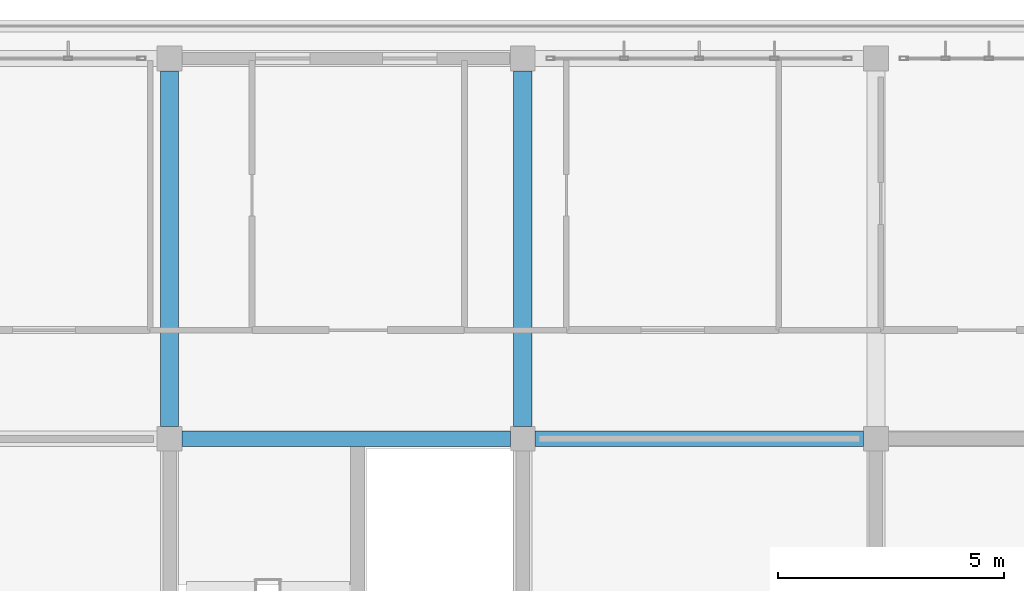
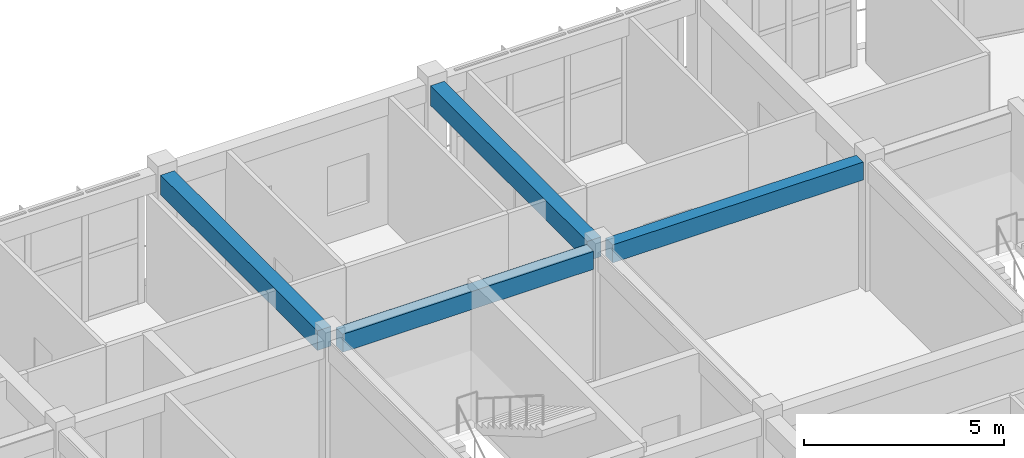
# One storey, part 17 of 44: 4 beams.
"""IFC4 building model written with IfcOpenShell, lengths in metres."""

from ifc_helpers import new_model, si_unit, direction, frame, origin, origin_2d, place, context, subcontext, project, spatial, rectangle, extrude, material, material_profile, profile_set, type_object, element, save


model = new_model("IFC4")

# Units and contexts
model_context = context("Model", 3, precision=1e-05, world=origin(), true_north=direction((0.0, 1.0)))
body_context = subcontext(model_context, "Body", "Model", "MODEL_VIEW")
ifc_project = project(units=[si_unit("LENGTHUNIT", "METRE"), si_unit("AREAUNIT", "SQUARE_METRE"), si_unit("VOLUMEUNIT", "CUBIC_METRE"), si_unit("PLANEANGLEUNIT", "RADIAN"), si_unit("MASSUNIT", "GRAM", prefix="KILO")], contexts=[model_context])

# Site, building, storey
site_placement = place(None, origin())
site = spatial("IfcSite", under=ifc_project, at=site_placement, CompositionType="ELEMENT")
building_placement = place(site_placement, origin())
building = spatial("IfcBuilding", under=site, at=building_placement, Name="Zizhar Promenade General Hospital", CompositionType="ELEMENT")
storey_placement = place(building_placement, frame((0.0, 0.0, 34.800048828125)))
storey = spatial("IfcBuildingStorey", under=building, at=storey_placement, Name="L08", CompositionType="ELEMENT", Elevation=34.800048828125)

# Beams
ifc_material_1 = material(Name="Concrete C35/45", Category="concrete")
ifc_material_profile_1 = material_profile(ifc_material_1, rectangle(XDim=0.35009765625, YDim=0.550048828125, at=origin_2d()))
ifc_profile_set_1 = profile_set([ifc_material_profile_1], Name="Concrete C35/45")
beam_type_1 = type_object("IfcBeamType", Name="BM-RC-350x550", PredefinedType="LINTEL", material=ifc_profile_set_1)
for number, where, z_axis, x_axis, name in (
    (1, (78.27490234375, 16.800048828125, 3.635009765625), (1.0, 0.0, 0.0), (0.0, 1.0, 0.0), "Grid Beam X L08 (10-2)"),
    (2, (86.074951171875, 16.800048828125, 3.635009765625), (1.0, 0.0, 0.0), (0.0, 1.0, 0.0), "Grid Beam X L08 (11-2)"),
):
    element("IfcBeam", number, at=place(storey_placement, frame(where, z_axis=z_axis, x_axis=x_axis)), inside=storey, type_object=beam_type_1, Name=name, PredefinedType="LINTEL", context=body_context, shape_type="SweptSolid", body=[
        extrude(rectangle(XDim=0.35009765625, YDim=0.550048828125, at=origin_2d()), origin(), (0.0, 0.0, 1.0), 7.25),
    ])
ifc_material_2 = material(Name="Concrete C35/45", Category="concrete")
ifc_material_profile_2 = material_profile(ifc_material_2, rectangle(XDim=0.39990234375, YDim=0.60009765625, at=origin_2d()))
ifc_profile_set_2 = profile_set([ifc_material_profile_2], Name="Concrete C35/45")
beam_type_2 = type_object("IfcBeamType", Name="BM-RC-400x600", PredefinedType="JOIST", material=ifc_profile_set_2)
for number, where, z_axis, x_axis, name in (
    (3, (78.0, 17.074951171875, 3.60986328125), (0.0, 1.0, 0.0), (-1.0, 0.0, 0.0), "Grid Beam Y L08 (10-2)"),
    (4, (85.800048828125, 17.074951171875, 3.60986328125), (0.0, 1.0, 0.0), (-1.0, 0.0, 0.0), "Grid Beam Y L08 (11-2)"),
):
    element("IfcBeam", number, at=place(storey_placement, frame(where, z_axis=z_axis, x_axis=x_axis)), inside=storey, type_object=beam_type_2, Name=name, PredefinedType="JOIST", context=body_context, shape_type="SweptSolid", body=[
        extrude(rectangle(XDim=0.39990234375, YDim=0.60009765625, at=origin_2d()), origin(), (0.0, 0.0, 1.0), 7.85009765625),
    ])

save(model, "model.ifc")
